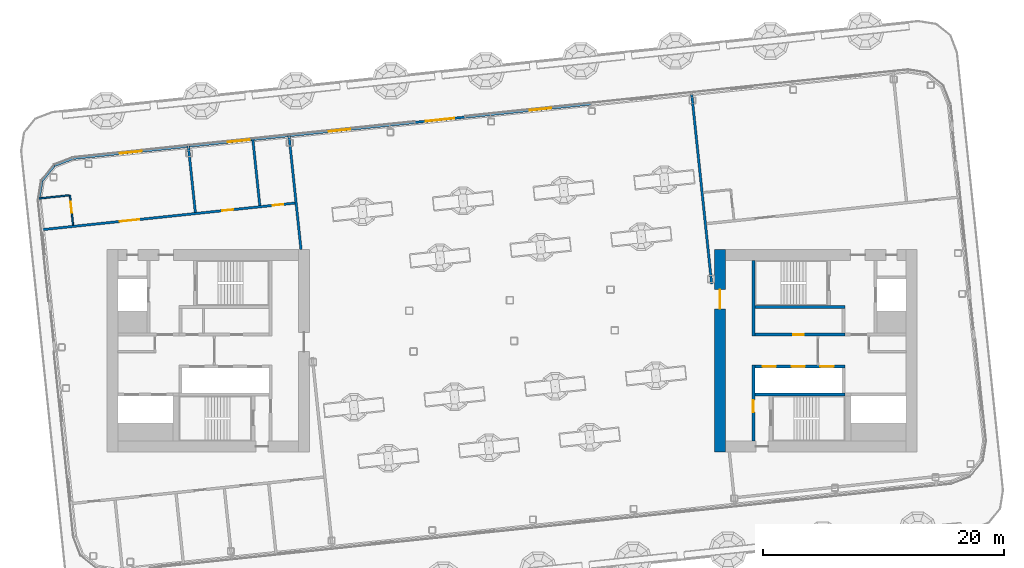
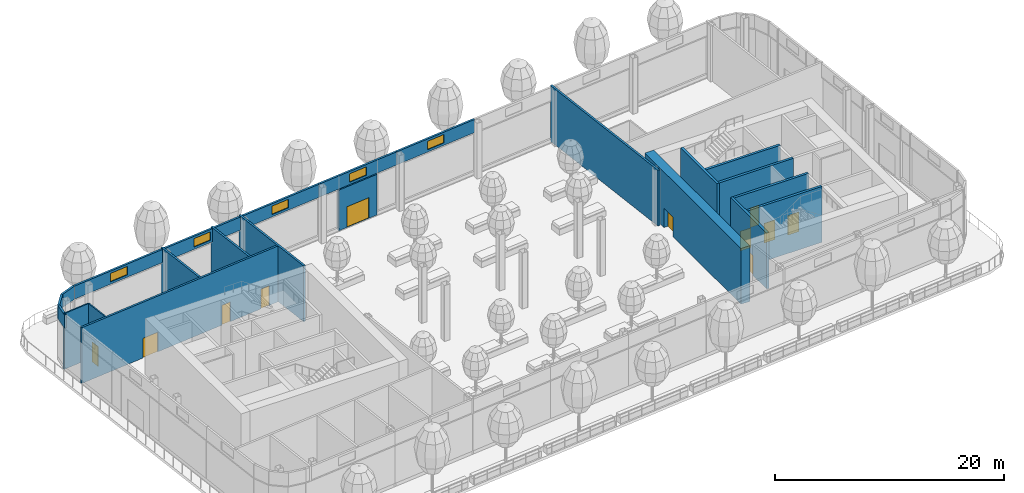
# One storey, part 13 of 42: 23 walls, 11 doors, 5 windows, 16 openings, 2 elements without a shape of their own.
"""IFC4 building model written with IfcOpenShell, lengths in metres."""

from ifc_helpers import new_model, si_unit, direction, frame, frame_2d, origin, place, context, subcontext, project, spatial, rectangle, extrude, material, layer, layer_set, type_object, element, fill, aggregate, save


model = new_model("IFC4")

# Units and contexts
model_context = context("Model", 3, precision=1e-05, world=origin(), true_north=direction((0.0, 1.0)))
body_context = subcontext(model_context, "Body", "Model", "MODEL_VIEW")
ifc_project = project(units=[si_unit("LENGTHUNIT", "METRE"), si_unit("AREAUNIT", "SQUARE_METRE"), si_unit("VOLUMEUNIT", "CUBIC_METRE"), si_unit("PLANEANGLEUNIT", "RADIAN"), si_unit("MASSUNIT", "GRAM", prefix="KILO")], contexts=[model_context])

# Site, building, storey
site_placement = place(None, origin())
site = spatial("IfcSite", under=ifc_project, at=site_placement, CompositionType="ELEMENT")
building_placement = place(site_placement, origin())
building = spatial("IfcBuilding", under=site, at=building_placement, Name="Hakoniwa Tower and Hamabe Station Hall", CompositionType="ELEMENT")
storey_placement = place(building_placement, frame((0.0, 0.0, 232.60009765625)))
storey = spatial("IfcBuildingStorey", under=building, at=storey_placement, Name="L66", CompositionType="ELEMENT", Elevation=232.60009765625)

# Wall, opening, door
ifc_material_1 = material(Name="Concrete C60", Category="concrete")
ifc_layer_1 = layer(ifc_material_1, 0.89990234375)
ifc_layer_set_1 = layer_set([ifc_layer_1], Name="CORE WALL 900 C60")
wall_type_1 = type_object("IfcWallType", Name="CORE WALL 900 C60", PredefinedType="SHEAR", material=ifc_layer_set_1)
wall_1_placement = place(storey_placement, frame((17.25, -8.39990234375, 0.0), z_axis=(0.0, 0.0, 1.0), x_axis=(0.0, 1.0, 0.0)))
wall_1 = element("IfcWall", 1, at=wall_1_placement, inside=storey, type_object=wall_type_1, Name="Core wall INNER east", PredefinedType="SHEAR", context=body_context, shape_type="SweptSolid", body=[
    extrude(rectangle(XDim=16.7998046875, YDim=0.89990234375, at=frame_2d((8.39990234375, 0.0))), origin(), (0.0, 0.0, 1.0), 5.949951171875),
])
opening_1_placement = place(wall_1_placement, frame((11.87890625, 0.0, 0.0)))
opening_1 = element("IfcOpeningElement", 2, at=opening_1_placement, cuts=wall_1, Name="Opening CD-E-IN1-16", PredefinedType="OPENING", context=body_context, shape_type="SweptSolid", body=[
    extrude(rectangle(XDim=1.60009765625, YDim=2.10009765625, at=frame_2d((0.800048828125, 1.050048828125))), frame((0.0, 0.4599609375, 0.0), z_axis=(0.0, -1.0, 0.0), x_axis=(1.0, 0.0, 0.0)), (0.0, 0.0, 1.0), 0.919921875),
])
ifc_material_2 = material(Name="Steel fire door", Category="steel")
door_type_1 = type_object("IfcDoorType", Name="CORE DOOR 1600 FD60", OperationType="DOUBLE_DOOR_SINGLE_SWING", PredefinedType="DOOR", material=ifc_material_2)
door_1_placement = place(opening_1_placement, origin())
door_1 = element("IfcDoor", 3, at=door_1_placement, inside=storey, type_object=door_type_1, Name="Lift lobby door", OperationType="DOUBLE_DOOR_SINGLE_SWING", OverallHeight=2.10009765625, OverallWidth=1.60009765625, PredefinedType="DOOR", context=body_context, shape_type="SweptSolid", body=[
    extrude(rectangle(XDim=1.60009765625, YDim=2.10009765625, at=frame_2d((0.800048828125, 1.050048828125))), frame((0.0, 0.02490234375, 0.0), z_axis=(0.0, -1.0, 0.0), x_axis=(1.0, 0.0, 0.0)), (0.0, 0.0, 1.0), 0.050048828125),
])
fill(opening_1, door_1)

# Wall
ifc_material_3 = material(Name="Concrete C60", Category="concrete")
ifc_layer_2 = layer(ifc_material_3, 0.25)
ifc_layer_set_2 = layer_set([ifc_layer_2], Name="CORE WEB WALL 250 C60")
wall_type_2 = type_object("IfcWallType", Name="CORE WEB WALL 250 C60", PredefinedType="SHEAR", material=ifc_layer_set_2)
wall_2_placement = place(storey_placement, frame((20.02490234375, 1.199951171875, 0.0), z_axis=(0.0, 0.0, 1.0), x_axis=(0.0, 1.0, 0.0)))
element("IfcWall", 4, at=wall_2_placement, inside=storey, type_object=wall_type_2, Name="Core wall W1N east", PredefinedType="SHEAR", context=body_context, shape_type="SweptSolid", body=[
    extrude(rectangle(XDim=6.300048828125, YDim=0.25, at=frame_2d((3.14990234375, 0.0))), origin(), (0.0, 0.0, 1.0), 5.949951171875),
])

# Wall, opening, door
wall_3_placement = place(storey_placement, frame((20.02490234375, -7.5, 0.0), z_axis=(0.0, 0.0, 1.0), x_axis=(0.0, 1.0, 0.0)))
wall_3 = element("IfcWall", 5, at=wall_3_placement, inside=storey, type_object=wall_type_2, Name="Core wall W1S east", PredefinedType="SHEAR", context=body_context, shape_type="SweptSolid", body=[
    extrude(rectangle(XDim=6.300048828125, YDim=0.25, at=frame_2d((3.14990234375, 0.0))), origin(), (0.0, 0.0, 1.0), 5.949951171875),
])
opening_2_placement = place(wall_3_placement, frame((2.39990234375, 0.0, 0.0)))
opening_2 = element("IfcOpeningElement", 6, at=opening_2_placement, cuts=wall_3, Name="Opening CD-E-VS-10", PredefinedType="OPENING", context=body_context, shape_type="SweptSolid", body=[
    extrude(rectangle(XDim=1.0, YDim=2.10009765625, at=frame_2d((0.5, 1.050048828125))), frame((0.0, 0.135009765625, 0.0), z_axis=(0.0, -1.0, 0.0), x_axis=(1.0, 0.0, 0.0)), (0.0, 0.0, 1.0), 0.27001953125),
])
ifc_material_4 = material(Name="Steel fire door", Category="steel")
door_type_2 = type_object("IfcDoorType", Name="CORE DOOR 1000 FD60", OperationType="NOTDEFINED", PredefinedType="DOOR", material=ifc_material_4)
door_2_placement = place(opening_2_placement, origin())
door_2 = element("IfcDoor", 7, at=door_2_placement, inside=storey, type_object=door_type_2, Name="Stair vestibule door", OperationType="SINGLE_SWING_RIGHT", OverallHeight=2.10009765625, OverallWidth=1.0, PredefinedType="DOOR", context=body_context, shape_type="SweptSolid", body=[
    extrude(rectangle(XDim=1.0, YDim=2.10009765625, at=frame_2d((0.5, 1.050048828125))), frame((0.0, 0.02490234375, 0.0), z_axis=(0.0, -1.0, 0.0), x_axis=(1.0, 0.0, 0.0)), (0.0, 0.0, 1.0), 0.050048828125),
])
fill(opening_2, door_2)

wall_4_placement = place(storey_placement, frame((20.14990234375, 1.324951171875, 0.0), z_axis=(0.0, 0.0, 1.0), x_axis=(1.0, 0.0, 0.0)))
wall_4 = element("IfcWall", 8, at=wall_4_placement, inside=storey, type_object=wall_type_2, Name="Core wall NF east", PredefinedType="SHEAR", context=body_context, shape_type="SweptSolid", body=[
    extrude(rectangle(XDim=7.5, YDim=0.25, at=frame_2d((3.75, 0.0))), origin(), (0.0, 0.0, 1.0), 5.949951171875),
])
opening_3_placement = place(wall_4_placement, frame((3.175048828125, 0.0, 0.0)))
opening_3 = element("IfcOpeningElement", 9, at=opening_3_placement, cuts=wall_4, Name="Opening CD-E-FRLR0-9", PredefinedType="OPENING", context=body_context, shape_type="SweptSolid", body=[
    extrude(rectangle(XDim=0.89990234375, YDim=2.10009765625, at=frame_2d((0.449951171875, 1.050048828125))), frame((0.0, 0.135009765625, 0.0), z_axis=(0.0, -1.0, 0.0), x_axis=(1.0, 0.0, 0.0)), (0.0, 0.0, 1.0), 0.27001953125),
])
ifc_material_5 = material(Name="Steel fire door", Category="steel")
door_type_3 = type_object("IfcDoorType", Name="CORE DOOR 900 FD30", OperationType="NOTDEFINED", PredefinedType="DOOR", material=ifc_material_5)
door_3_placement = place(opening_3_placement, origin())
door_3 = element("IfcDoor", 10, at=door_3_placement, inside=storey, type_object=door_type_3, Name="Store room door", OperationType="SINGLE_SWING_LEFT", OverallHeight=2.10009765625, OverallWidth=0.89990234375, PredefinedType="DOOR", context=body_context, shape_type="SweptSolid", body=[
    extrude(rectangle(XDim=0.89990234375, YDim=2.10009765625, at=frame_2d((0.449951171875, 1.050048828125))), frame((0.0, 0.02490234375, 0.0), z_axis=(0.0, -1.0, 0.0), x_axis=(1.0, 0.0, 0.0)), (0.0, 0.0, 1.0), 0.050048828125),
])
fill(opening_3, door_3)

# Wall
wall_5_placement = place(storey_placement, frame((20.14990234375, 3.625, 0.0), z_axis=(0.0, 0.0, 1.0), x_axis=(1.0, 0.0, 0.0)))
element("IfcWall", 11, at=wall_5_placement, inside=storey, type_object=wall_type_2, Name="Core wall NR east", PredefinedType="SHEAR", context=body_context, shape_type="SweptSolid", body=[
    extrude(rectangle(XDim=7.5, YDim=0.25, at=frame_2d((3.75, 0.0))), origin(), (0.0, 0.0, 1.0), 5.949951171875),
])

# Wall, openings, doors
wall_6_placement = place(storey_placement, frame((20.14990234375, -1.324951171875, 0.0), z_axis=(0.0, 0.0, 1.0), x_axis=(1.0, 0.0, 0.0)))
wall_6 = element("IfcWall", 12, at=wall_6_placement, inside=storey, type_object=wall_type_2, Name="Core wall SF east", PredefinedType="SHEAR", context=body_context, shape_type="SweptSolid", body=[
    extrude(rectangle(XDim=7.5, YDim=0.25, at=frame_2d((3.75, 0.0))), origin(), (0.0, 0.0, 1.0), 5.949951171875),
])
opening_4_placement = place(wall_6_placement, frame((0.64990234375, 0.0, 0.0)))
opening_4 = element("IfcOpeningElement", 13, at=opening_4_placement, cuts=wall_6, Name="Opening LD-HR4", PredefinedType="OPENING", context=body_context, shape_type="SweptSolid", body=[
    extrude(rectangle(XDim=1.10009765625, YDim=2.10009765625, at=frame_2d((0.550048828125, 1.050048828125))), frame((0.0, 0.135009765625, 0.0), z_axis=(0.0, -1.0, 0.0), x_axis=(1.0, 0.0, 0.0)), (0.0, 0.0, 1.0), 0.27001953125),
])
opening_5_placement = place(wall_6_placement, frame((3.050048828125, 0.0, 0.0)))
opening_5 = element("IfcOpeningElement", 14, at=opening_5_placement, cuts=wall_6, Name="Opening LD-HR5", PredefinedType="OPENING", context=body_context, shape_type="SweptSolid", body=[
    extrude(rectangle(XDim=1.10009765625, YDim=2.10009765625, at=frame_2d((0.550048828125, 1.050048828125))), frame((0.0, 0.135009765625, 0.0), z_axis=(0.0, -1.0, 0.0), x_axis=(1.0, 0.0, 0.0)), (0.0, 0.0, 1.0), 0.27001953125),
])
opening_6_placement = place(wall_6_placement, frame((5.449951171875, 0.0, 0.0)))
opening_6 = element("IfcOpeningElement", 15, at=opening_6_placement, cuts=wall_6, Name="Opening LD-HR6", PredefinedType="OPENING", context=body_context, shape_type="SweptSolid", body=[
    extrude(rectangle(XDim=1.10009765625, YDim=2.10009765625, at=frame_2d((0.550048828125, 1.050048828125))), frame((0.0, 0.135009765625, 0.0), z_axis=(0.0, -1.0, 0.0), x_axis=(1.0, 0.0, 0.0)), (0.0, 0.0, 1.0), 0.27001953125),
])
ifc_material_6 = material(Name="Stainless steel SUS304", Category="steel")
door_type_4 = type_object("IfcDoorType", Name="LIFT LANDING DOOR 1100 FD60", OperationType="DOUBLE_DOOR_SLIDING", PredefinedType="DOOR", material=ifc_material_6)
door_4_placement = place(opening_4_placement, origin())
door_4 = element("IfcDoor", 16, at=door_4_placement, inside=storey, type_object=door_type_4, Name="Lift landing door HR4 L66", OperationType="DOUBLE_DOOR_SLIDING", OverallHeight=2.10009765625, OverallWidth=1.10009765625, PredefinedType="DOOR", context=body_context, shape_type="SweptSolid", body=[
    extrude(rectangle(XDim=1.10009765625, YDim=2.10009765625, at=frame_2d((0.550048828125, 1.050048828125))), frame((0.0, 0.02490234375, 0.0), z_axis=(0.0, -1.0, 0.0), x_axis=(1.0, 0.0, 0.0)), (0.0, 0.0, 1.0), 0.050048828125),
])
fill(opening_4, door_4)
door_5_placement = place(opening_5_placement, origin())
door_5 = element("IfcDoor", 17, at=door_5_placement, inside=storey, type_object=door_type_4, Name="Lift landing door HR5 L66", OperationType="DOUBLE_DOOR_SLIDING", OverallHeight=2.10009765625, OverallWidth=1.10009765625, PredefinedType="DOOR", context=body_context, shape_type="SweptSolid", body=[
    extrude(rectangle(XDim=1.10009765625, YDim=2.10009765625, at=frame_2d((0.550048828125, 1.050048828125))), frame((0.0, 0.02490234375, 0.0), z_axis=(0.0, -1.0, 0.0), x_axis=(1.0, 0.0, 0.0)), (0.0, 0.0, 1.0), 0.050048828125),
])
fill(opening_5, door_5)
door_6_placement = place(opening_6_placement, origin())
door_6 = element("IfcDoor", 18, at=door_6_placement, inside=storey, type_object=door_type_4, Name="Lift landing door HR6 L66", OperationType="DOUBLE_DOOR_SLIDING", OverallHeight=2.10009765625, OverallWidth=1.10009765625, PredefinedType="DOOR", context=body_context, shape_type="SweptSolid", body=[
    extrude(rectangle(XDim=1.10009765625, YDim=2.10009765625, at=frame_2d((0.550048828125, 1.050048828125))), frame((0.0, 0.02490234375, 0.0), z_axis=(0.0, -1.0, 0.0), x_axis=(1.0, 0.0, 0.0)), (0.0, 0.0, 1.0), 0.050048828125),
])
fill(opening_6, door_6)

# Wall
wall_7_placement = place(storey_placement, frame((20.14990234375, -3.625, 0.0), z_axis=(0.0, 0.0, 1.0), x_axis=(1.0, 0.0, 0.0)))
element("IfcWall", 19, at=wall_7_placement, inside=storey, type_object=wall_type_2, Name="Core wall SR east", PredefinedType="SHEAR", context=body_context, shape_type="SweptSolid", body=[
    extrude(rectangle(XDim=7.5, YDim=0.25, at=frame_2d((3.75, 0.0))), origin(), (0.0, 0.0, 1.0), 5.949951171875),
])

# Wall, openings, doors
ifc_material_7 = material(Name="Fire-rated gypsum board partition", Category="gypsum")
ifc_layer_3 = layer(ifc_material_7, 0.199951171875)
ifc_layer_set_3 = layer_set([ifc_layer_3], Name="Corridor Wall 200")
wall_type_3 = type_object("IfcWallType", Name="Corridor Wall 200", PredefinedType="PARTITIONING", material=ifc_layer_set_3)
wall_8_placement = place(storey_placement, frame((-39.101806640625, 10.033935546875, 0.0), z_axis=(0.0, 0.0, 1.0), x_axis=(0.994522585465, 0.104521897229, 0.0)))
wall_8 = element("IfcWall", 20, at=wall_8_placement, inside=storey, type_object=wall_type_3, Name="GW-L66-005", PredefinedType="PARTITIONING", context=body_context, shape_type="SweptSolid", body=[
    extrude(rectangle(XDim=21.300048828125, YDim=0.199951171875, at=frame_2d((10.64990234375, 0.0))), origin(), (0.0, 0.0, 1.0), 5.949951171875),
])
opening_7_placement = place(wall_8_placement, frame((6.60009765625, 0.0, 0.0)))
opening_7 = element("IfcOpeningElement", 21, at=opening_7_placement, cuts=wall_8, Name="Opening GD-SL66-08", PredefinedType="OPENING", context=body_context, shape_type="SweptSolid", body=[
    extrude(rectangle(XDim=1.60009765625, YDim=2.10009765625, at=frame_2d((0.800048828125, 1.050048828125))), frame((0.0, 0.10986328125, 0.0), z_axis=(0.0, -1.0, 0.0), x_axis=(1.0, 0.0, 0.0)), (0.0, 0.0, 1.0), 0.219970703125),
])
opening_8_placement = place(wall_8_placement, frame((15.139892578125, 0.0, 0.0)))
opening_8 = element("IfcOpeningElement", 22, at=opening_8_placement, cuts=wall_8, Name="Opening GD-SL66-09", PredefinedType="OPENING", context=body_context, shape_type="SweptSolid", body=[
    extrude(rectangle(XDim=0.89990234375, YDim=2.10009765625, at=frame_2d((0.449951171875, 1.050048828125))), frame((0.0, 0.10986328125, 0.0), z_axis=(0.0, -1.0, 0.0), x_axis=(1.0, 0.0, 0.0)), (0.0, 0.0, 1.0), 0.219970703125),
])
opening_9_placement = place(wall_8_placement, frame((19.340087890625, 0.0, 0.0)))
opening_9 = element("IfcOpeningElement", 23, at=opening_9_placement, cuts=wall_8, Name="Opening GD-SL66-10", PredefinedType="OPENING", context=body_context, shape_type="SweptSolid", body=[
    extrude(rectangle(XDim=0.89990234375, YDim=2.10009765625, at=frame_2d((0.449951171875, 1.050048828125))), frame((0.0, 0.10986328125, 0.0), z_axis=(0.0, -1.0, 0.0), x_axis=(1.0, 0.0, 0.0)), (0.0, 0.0, 1.0), 0.219970703125),
])
ifc_material_8 = material(Name="Timber door leaf", Category="wood")
door_type_5 = type_object("IfcDoorType", Name="Double Door 1600", OperationType="DOUBLE_DOOR_SINGLE_SWING", PredefinedType="DOOR", material=ifc_material_8)
door_7_placement = place(opening_7_placement, origin())
door_7 = element("IfcDoor", 24, at=door_7_placement, inside=storey, type_object=door_type_5, Name="Door GD-SL66-08", OperationType="DOUBLE_DOOR_SINGLE_SWING", OverallHeight=2.10009765625, OverallWidth=1.60009765625, PredefinedType="DOOR", context=body_context, shape_type="SweptSolid", body=[
    extrude(rectangle(XDim=1.60009765625, YDim=2.10009765625, at=frame_2d((0.800048828125, 1.050048828125))), frame((0.0, 0.02490234375, 0.0), z_axis=(0.0, -1.0, 0.0), x_axis=(1.0, 0.0, 0.0)), (0.0, 0.0, 1.0), 0.050048828125),
])
fill(opening_7, door_7)
ifc_material_9 = material(Name="Timber door leaf", Category="wood")
door_type_6 = type_object("IfcDoorType", Name="Service Door 900", OperationType="SINGLE_SWING_LEFT", PredefinedType="DOOR", material=ifc_material_9)
door_8_placement = place(opening_8_placement, origin())
door_8 = element("IfcDoor", 25, at=door_8_placement, inside=storey, type_object=door_type_6, Name="Door GD-SL66-09", OperationType="SINGLE_SWING_RIGHT", OverallHeight=2.10009765625, OverallWidth=0.89990234375, PredefinedType="DOOR", context=body_context, shape_type="SweptSolid", body=[
    extrude(rectangle(XDim=0.89990234375, YDim=2.10009765625, at=frame_2d((0.449951171875, 1.050048828125))), frame((0.0, 0.02490234375, 0.0), z_axis=(0.0, -1.0, 0.0), x_axis=(1.0, 0.0, 0.0)), (0.0, 0.0, 1.0), 0.050048828125),
])
fill(opening_8, door_8)
door_9_placement = place(opening_9_placement, origin())
door_9 = element("IfcDoor", 26, at=door_9_placement, inside=storey, type_object=door_type_6, Name="Door GD-SL66-10", OperationType="SINGLE_SWING_RIGHT", OverallHeight=2.10009765625, OverallWidth=0.89990234375, PredefinedType="DOOR", context=body_context, shape_type="SweptSolid", body=[
    extrude(rectangle(XDim=0.89990234375, YDim=2.10009765625, at=frame_2d((0.449951171875, 1.050048828125))), frame((0.0, 0.02490234375, 0.0), z_axis=(0.0, -1.0, 0.0), x_axis=(1.0, 0.0, 0.0)), (0.0, 0.0, 1.0), 0.050048828125),
])
fill(opening_9, door_9)

# Curtain wall, wall, opening, door
ifc_material_10 = material(Name="Dark low-e laminated glass", Category="glass")
ifc_layer_4 = layer(ifc_material_10, 0.199951171875)
ifc_layer_set_4 = layer_set([ifc_layer_4], Name="CW-2 SKY GARDEN")
curtain_wall_type = type_object("IfcCurtainWallType", Name="CW-2 SKY GARDEN", PredefinedType="NOTDEFINED", material=ifc_layer_set_4)
curtain_wall_1_placement = place(storey_placement, origin())
curtain_wall_1 = element("IfcCurtainWall", 27, at=curtain_wall_1_placement, inside=storey, type_object=curtain_wall_type, Name="CW-2 curtain wall", PredefinedType="NOTDEFINED")
ifc_material_11 = material(Name="Dark glass-faced aluminium panel", Category="aluminium")
ifc_layer_5 = layer(ifc_material_11, 0.199951171875)
ifc_layer_set_5 = layer_set([ifc_layer_5], Name="DOOR BAY WALL")
wall_type_4 = type_object("IfcWallType", Name="DOOR BAY WALL", PredefinedType="NOTDEFINED", material=ifc_layer_set_5)
wall_9_placement = place(storey_placement, frame((-3.916259765625, 19.383056640625, 0.0), z_axis=(0.0, 0.0, 1.0), x_axis=(-0.994524824329, -0.10450059231, 0.0)))
wall_9 = element("IfcWall", 28, at=wall_9_placement, type_object=wall_type_4, Name="Door bay wall", PredefinedType="NOTDEFINED", context=body_context, shape_type="SweptSolid", body=[
    extrude(rectangle(XDim=4.139892578125, YDim=0.199951171875, at=frame_2d((2.06982421875, 0.0))), origin(), (0.0, 0.0, 1.0), 4.329833984375),
])
opening_10_placement = place(wall_9_placement, frame((0.8701171875, 0.0, 0.0)))
opening_10 = element("IfcOpeningElement", 29, at=opening_10_placement, cuts=wall_9, Name="Opening TD-N03-T1", PredefinedType="OPENING", context=body_context, shape_type="SweptSolid", body=[
    extrude(rectangle(XDim=2.39990234375, YDim=2.199951171875, at=frame_2d((1.199951171875, 1.10009765625))), frame((0.0, 0.10986328125, 0.0), z_axis=(0.0, -1.0, 0.0), x_axis=(1.0, 0.0, 0.0)), (0.0, 0.0, 1.0), 0.219970703125),
])
ifc_material_12 = material(Name="Dark low-e laminated glass", Category="glass")
door_type_7 = type_object("IfcDoorType", Name="BALCONY SLIDING DOOR 2400X2200", OperationType="SLIDING_TO_LEFT", PredefinedType="DOOR", material=ifc_material_12)
door_10_placement = place(opening_10_placement, frame((2.39990234375, 0.0, 0.0), z_axis=(0.0, 0.0, 1.0), x_axis=(-1.0, 0.0, 0.0)))
door_10 = element("IfcDoor", 30, at=door_10_placement, inside=storey, type_object=door_type_7, Name="Balcony sliding door", OperationType="SLIDING_TO_LEFT", OverallHeight=2.199951171875, OverallWidth=2.39990234375, PredefinedType="DOOR", context=body_context, shape_type="SweptSolid", body=[
    extrude(rectangle(XDim=2.39990234375, YDim=2.199951171875, at=frame_2d((1.199951171875, 1.10009765625))), frame((0.0, 0.02490234375, 0.0), z_axis=(0.0, -1.0, 0.0), x_axis=(1.0, 0.0, 0.0)), (0.0, 0.0, 1.0), 0.050048828125),
])
fill(opening_10, door_10)

# Walls
ifc_material_13 = material(Name="Fire-rated gypsum board partition", Category="gypsum")
ifc_layer_6 = layer(ifc_material_13, 0.199951171875)
ifc_layer_set_6 = layer_set([ifc_layer_6], Name="Party Wall 200")
wall_type_5 = type_object("IfcWallType", Name="Party Wall 200", PredefinedType="PARTITIONING", material=ifc_layer_set_6)
wall_10_placement = place(storey_placement, frame((-26.28271484375, 11.481689453125, 0.0), z_axis=(0.0, 0.0, 1.0), x_axis=(-0.104560413987, 0.994518536693, 0.0)))
element("IfcWall", 31, at=wall_10_placement, inside=storey, type_object=wall_type_5, Name="GW-L66-011", PredefinedType="PARTITIONING", context=body_context, shape_type="SweptSolid", body=[
    extrude(rectangle(XDim=5.6201171875, YDim=0.199951171875, at=frame_2d((2.81005859375, 0.0))), origin(), (0.0, 0.0, 1.0), 5.949951171875),
])
wall_11_placement = place(storey_placement, frame((-20.932373046875, 12.0439453125, 0.0), z_axis=(0.0, 0.0, 1.0), x_axis=(-0.104512933269, 0.994523527514, 0.0)))
element("IfcWall", 32, at=wall_11_placement, inside=storey, type_object=wall_type_5, Name="GW-L66-013", PredefinedType="PARTITIONING", context=body_context, shape_type="SweptSolid", body=[
    extrude(rectangle(XDim=5.620361328125, YDim=0.199951171875, at=frame_2d((2.81005859375, 0.0))), origin(), (0.0, 0.0, 1.0), 5.949951171875),
])
wall_12_placement = place(storey_placement, frame((-17.51220703125, 8.39501953125, 0.0), z_axis=(0.0, 0.0, 1.0), x_axis=(-0.104524714473, 0.994522289375, 0.0)))
element("IfcWall", 33, at=wall_12_placement, inside=storey, type_object=wall_type_5, Name="GW-L66-015", PredefinedType="PARTITIONING", context=body_context, shape_type="SweptSolid", body=[
    extrude(rectangle(XDim=9.60693359375, YDim=0.199951171875, at=frame_2d((4.803466796875, 0.0))), origin(), (0.0, 0.0, 1.0), 5.949951171875),
])
wall_13_placement = place(storey_placement, frame((16.572021484375, 5.549072265625, 0.0), z_axis=(0.0, 0.0, 1.0), x_axis=(-0.104522747265, 0.994522496128, 0.0)))
element("IfcWall", 34, at=wall_13_placement, inside=storey, type_object=wall_type_5, Name="GW-L66-017", PredefinedType="PARTITIONING", context=body_context, shape_type="SweptSolid", body=[
    extrude(rectangle(XDim=16.0, YDim=0.199951171875, at=frame_2d((8.0, 0.0))), origin(), (0.0, 0.0, 1.0), 5.949951171875),
])
ifc_material_14 = material(Name="Gypsum board partition", Category="gypsum")
ifc_layer_7 = layer(ifc_material_14, 0.125)
ifc_layer_set_7 = layer_set([ifc_layer_7], Name="Room Partition 125")
wall_type_6 = type_object("IfcWallType", Name="Room Partition 125", PredefinedType="PARTITIONING", material=ifc_layer_set_7)
wall_14_placement = place(storey_placement, frame((-39.336181640625, 12.62353515625, 0.0), z_axis=(0.0, 0.0, 1.0), x_axis=(0.994523446942, 0.104513699976, 0.0)))
element("IfcWall", 35, at=wall_14_placement, inside=storey, type_object=wall_type_6, Name="GW-L66-006", PredefinedType="PARTITIONING", context=body_context, shape_type="SweptSolid", body=[
    extrude(rectangle(XDim=2.599853515625, YDim=0.125, at=frame_2d((1.2998046875, 0.0))), origin(), (0.0, 0.0, 1.0), 5.949951171875),
])

# Wall, opening, door
wall_15_placement = place(storey_placement, frame((-36.427001953125, 10.41552734375, 0.0), z_axis=(0.0, 0.0, 1.0), x_axis=(-0.104491611519, 0.994525767953, 0.0)))
wall_15 = element("IfcWall", 36, at=wall_15_placement, inside=storey, type_object=wall_type_6, Name="GW-L66-007", PredefinedType="PARTITIONING", context=body_context, shape_type="SweptSolid", body=[
    extrude(rectangle(XDim=2.5, YDim=0.125, at=frame_2d((1.25, 0.0))), origin(), (0.0, 0.0, 1.0), 5.949951171875),
])
opening_11_placement = place(wall_15_placement, frame((1.050048828125, 0.0, 0.0)))
opening_11 = element("IfcOpeningElement", 37, at=opening_11_placement, cuts=wall_15, Name="Opening GD-SL66-11", PredefinedType="OPENING", context=body_context, shape_type="SweptSolid", body=[
    extrude(rectangle(XDim=0.89990234375, YDim=2.10009765625, at=frame_2d((0.449951171875, 1.050048828125))), frame((0.0, 0.072509765625, 0.0), z_axis=(0.0, -1.0, 0.0), x_axis=(1.0, 0.0, 0.0)), (0.0, 0.0, 1.0), 0.14501953125),
])
ifc_material_15 = material(Name="Timber door leaf", Category="wood")
door_type_8 = type_object("IfcDoorType", Name="Suite Interior Door 900", OperationType="SINGLE_SWING_LEFT", PredefinedType="DOOR", material=ifc_material_15)
door_11_placement = place(opening_11_placement, origin())
door_11 = element("IfcDoor", 38, at=door_11_placement, inside=storey, type_object=door_type_8, Name="Door GD-SL66-11", OperationType="SINGLE_SWING_LEFT", OverallHeight=2.10009765625, OverallWidth=0.89990234375, PredefinedType="DOOR", context=body_context, shape_type="SweptSolid", body=[
    extrude(rectangle(XDim=0.89990234375, YDim=2.10009765625, at=frame_2d((0.449951171875, 1.050048828125))), frame((0.0, 0.02490234375, 0.0), z_axis=(0.0, -1.0, 0.0), x_axis=(1.0, 0.0, 0.0)), (0.0, 0.0, 1.0), 0.050048828125),
])
fill(opening_11, door_11)

# Wall, opening, window
ifc_material_16 = material(Name="Dark glass-faced aluminium panel", Category="aluminium")
ifc_layer_8 = layer(ifc_material_16, 0.199951171875)
ifc_layer_set_8 = layer_set([ifc_layer_8], Name="VENT BAND WALL")
wall_type_7 = type_object("IfcWallType", Name="VENT BAND WALL", PredefinedType="NOTDEFINED", material=ifc_layer_set_8)
wall_16_placement = place(storey_placement, frame((6.55615234375, 20.48388671875, 4.449951171875), z_axis=(0.0, 0.0, 1.0), x_axis=(-0.994520253788, -0.104544080685, 0.0)))
wall_16 = element("IfcWall", 39, at=wall_16_placement, type_object=wall_type_7, Name="Vent band wall", PredefinedType="NOTDEFINED", context=body_context, shape_type="SweptSolid", body=[
    extrude(rectangle(XDim=8.400146484375, YDim=0.199951171875, at=frame_2d((4.2001953125, 0.0))), origin(), (0.0, 0.0, 1.0), 1.39990234375),
])
opening_12_placement = place(wall_16_placement, frame((3.300048828125, 0.0, 0.25)))
opening_12 = element("IfcOpeningElement", 40, at=opening_12_placement, cuts=wall_16, Name="Opening VW-1", PredefinedType="OPENING", context=body_context, shape_type="SweptSolid", body=[
    extrude(rectangle(XDim=1.800048828125, YDim=0.89990234375, at=frame_2d((0.89990234375, 0.449951171875))), frame((0.0, 0.10986328125, 0.0), z_axis=(0.0, -1.0, 0.0), x_axis=(1.0, 0.0, 0.0)), (0.0, 0.0, 1.0), 0.219970703125),
])
ifc_material_17 = material(Name="Dark low-e laminated glass", Category="glass")
window_type = type_object("IfcWindowType", Name="VENT WINDOW 1800X900", PartitioningType="SINGLE_PANEL", PredefinedType="WINDOW", material=ifc_material_17)
window_1_placement = place(opening_12_placement, origin())
window_1 = element("IfcWindow", 41, at=window_1_placement, inside=storey, type_object=window_type, Name="Vent window", OverallHeight=0.89990234375, OverallWidth=1.800048828125, PartitioningType="SINGLE_PANEL", PredefinedType="WINDOW", context=body_context, shape_type="SweptSolid", body=[
    extrude(rectangle(XDim=1.800048828125, YDim=0.89990234375, at=frame_2d((0.89990234375, 0.449951171875))), frame((0.0, 0.030029296875, 0.0), z_axis=(0.0, -1.0, 0.0), x_axis=(1.0, 0.0, 0.0)), (0.0, 0.0, 1.0), 0.06005859375),
])
fill(opening_12, window_1)

wall_17_placement = place(storey_placement, frame((-1.7978515625, 19.605712890625, 4.449951171875), z_axis=(0.0, 0.0, 1.0), x_axis=(-0.994523275226, -0.104515333968, 0.0)))
wall_17 = element("IfcWall", 42, at=wall_17_placement, type_object=wall_type_7, Name="Vent band wall", PredefinedType="NOTDEFINED", context=body_context, shape_type="SweptSolid", body=[
    extrude(rectangle(XDim=8.39990234375, YDim=0.199951171875, at=frame_2d((4.199951171875, 0.0))), origin(), (0.0, 0.0, 1.0), 1.39990234375),
])
opening_13_placement = place(wall_17_placement, frame((3.300048828125, 0.0, 0.25)))
opening_13 = element("IfcOpeningElement", 43, at=opening_13_placement, cuts=wall_17, Name="Opening VW-1", PredefinedType="OPENING", context=body_context, shape_type="SweptSolid", body=[
    extrude(rectangle(XDim=1.800048828125, YDim=0.89990234375, at=frame_2d((0.89990234375, 0.449951171875))), frame((0.0, 0.10986328125, 0.0), z_axis=(0.0, -1.0, 0.0), x_axis=(1.0, 0.0, 0.0)), (0.0, 0.0, 1.0), 0.219970703125),
])
window_2_placement = place(opening_13_placement, origin())
window_2 = element("IfcWindow", 44, at=window_2_placement, inside=storey, type_object=window_type, Name="Vent window", OverallHeight=0.89990234375, OverallWidth=1.800048828125, PartitioningType="SINGLE_PANEL", PredefinedType="WINDOW", context=body_context, shape_type="SweptSolid", body=[
    extrude(rectangle(XDim=1.800048828125, YDim=0.89990234375, at=frame_2d((0.89990234375, 0.449951171875))), frame((0.0, 0.030029296875, 0.0), z_axis=(0.0, -1.0, 0.0), x_axis=(1.0, 0.0, 0.0)), (0.0, 0.0, 1.0), 0.06005859375),
])
fill(opening_13, window_2)

wall_18_placement = place(storey_placement, frame((-10.15185546875, 18.727783203125, 4.449951171875), z_axis=(0.0, 0.0, 1.0), x_axis=(-0.994520253788, -0.104544080685, 0.0)))
wall_18 = element("IfcWall", 45, at=wall_18_placement, type_object=wall_type_7, Name="Vent band wall", PredefinedType="NOTDEFINED", context=body_context, shape_type="SweptSolid", body=[
    extrude(rectangle(XDim=8.400146484375, YDim=0.199951171875, at=frame_2d((4.2001953125, 0.0))), origin(), (0.0, 0.0, 1.0), 1.39990234375),
])
opening_14_placement = place(wall_18_placement, frame((3.300048828125, 0.0, 0.25)))
opening_14 = element("IfcOpeningElement", 46, at=opening_14_placement, cuts=wall_18, Name="Opening VW-1", PredefinedType="OPENING", context=body_context, shape_type="SweptSolid", body=[
    extrude(rectangle(XDim=1.800048828125, YDim=0.89990234375, at=frame_2d((0.89990234375, 0.449951171875))), frame((0.0, 0.10986328125, 0.0), z_axis=(0.0, -1.0, 0.0), x_axis=(1.0, 0.0, 0.0)), (0.0, 0.0, 1.0), 0.219970703125),
])
window_3_placement = place(opening_14_placement, origin())
window_3 = element("IfcWindow", 47, at=window_3_placement, inside=storey, type_object=window_type, Name="Vent window", OverallHeight=0.89990234375, OverallWidth=1.800048828125, PartitioningType="SINGLE_PANEL", PredefinedType="WINDOW", context=body_context, shape_type="SweptSolid", body=[
    extrude(rectangle(XDim=1.800048828125, YDim=0.89990234375, at=frame_2d((0.89990234375, 0.449951171875))), frame((0.0, 0.030029296875, 0.0), z_axis=(0.0, -1.0, 0.0), x_axis=(1.0, 0.0, 0.0)), (0.0, 0.0, 1.0), 0.06005859375),
])
fill(opening_14, window_3)

wall_19_placement = place(storey_placement, frame((-18.505859375, 17.849609375, 4.449951171875), z_axis=(0.0, 0.0, 1.0), x_axis=(-0.994523275226, -0.104515333968, 0.0)))
wall_19 = element("IfcWall", 48, at=wall_19_placement, type_object=wall_type_7, Name="Vent band wall", PredefinedType="NOTDEFINED", context=body_context, shape_type="SweptSolid", body=[
    extrude(rectangle(XDim=8.39990234375, YDim=0.199951171875, at=frame_2d((4.199951171875, 0.0))), origin(), (0.0, 0.0, 1.0), 1.39990234375),
])
opening_15_placement = place(wall_19_placement, frame((3.300048828125, 0.0, 0.25)))
opening_15 = element("IfcOpeningElement", 49, at=opening_15_placement, cuts=wall_19, Name="Opening VW-1", PredefinedType="OPENING", context=body_context, shape_type="SweptSolid", body=[
    extrude(rectangle(XDim=1.800048828125, YDim=0.89990234375, at=frame_2d((0.89990234375, 0.449951171875))), frame((0.0, 0.10986328125, 0.0), z_axis=(0.0, -1.0, 0.0), x_axis=(1.0, 0.0, 0.0)), (0.0, 0.0, 1.0), 0.219970703125),
])
window_4_placement = place(opening_15_placement, origin())
window_4 = element("IfcWindow", 50, at=window_4_placement, inside=storey, type_object=window_type, Name="Vent window", OverallHeight=0.89990234375, OverallWidth=1.800048828125, PartitioningType="SINGLE_PANEL", PredefinedType="WINDOW", context=body_context, shape_type="SweptSolid", body=[
    extrude(rectangle(XDim=1.800048828125, YDim=0.89990234375, at=frame_2d((0.89990234375, 0.449951171875))), frame((0.0, 0.030029296875, 0.0), z_axis=(0.0, -1.0, 0.0), x_axis=(1.0, 0.0, 0.0)), (0.0, 0.0, 1.0), 0.06005859375),
])
fill(opening_15, window_4)

wall_20_placement = place(storey_placement, frame((-26.85986328125, 16.9716796875, 4.449951171875), z_axis=(0.0, 0.0, 1.0), x_axis=(-0.994522701643, -0.104520791788, 0.0)))
wall_20 = element("IfcWall", 51, at=wall_20_placement, type_object=wall_type_7, Name="Vent band wall", PredefinedType="NOTDEFINED", context=body_context, shape_type="SweptSolid", body=[
    extrude(rectangle(XDim=9.609619140625, YDim=0.199951171875, at=frame_2d((4.8046875, 0.0))), origin(), (0.0, 0.0, 1.0), 1.39990234375),
])
opening_16_placement = place(wall_20_placement, frame((3.90478515625, 0.0, 0.25)))
opening_16 = element("IfcOpeningElement", 52, at=opening_16_placement, cuts=wall_20, Name="Opening VW-1", PredefinedType="OPENING", context=body_context, shape_type="SweptSolid", body=[
    extrude(rectangle(XDim=1.800048828125, YDim=0.89990234375, at=frame_2d((0.89990234375, 0.449951171875))), frame((0.0, 0.10986328125, 0.0), z_axis=(0.0, -1.0, 0.0), x_axis=(1.0, 0.0, 0.0)), (0.0, 0.0, 1.0), 0.219970703125),
])
window_5_placement = place(opening_16_placement, origin())
window_5 = element("IfcWindow", 53, at=window_5_placement, inside=storey, type_object=window_type, Name="Vent window", OverallHeight=0.89990234375, OverallWidth=1.800048828125, PartitioningType="SINGLE_PANEL", PredefinedType="WINDOW", context=body_context, shape_type="SweptSolid", body=[
    extrude(rectangle(XDim=1.800048828125, YDim=0.89990234375, at=frame_2d((0.89990234375, 0.449951171875))), frame((0.0, 0.030029296875, 0.0), z_axis=(0.0, -1.0, 0.0), x_axis=(1.0, 0.0, 0.0)), (0.0, 0.0, 1.0), 0.06005859375),
])
fill(opening_16, window_5)

aggregate(curtain_wall_1, [wall_16, wall_17, wall_18, wall_19, wall_20, wall_9])

# Curtain wall, walls
curtain_wall_2_placement = place(storey_placement, origin())
curtain_wall_2 = element("IfcCurtainWall", 54, at=curtain_wall_2_placement, inside=storey, type_object=curtain_wall_type, Name="CW-2 curtain wall", PredefinedType="NOTDEFINED")
wall_21_placement = place(storey_placement, frame((-36.44921875, 15.95947265625, 4.449951171875), z_axis=(0.0, 0.0, 1.0), x_axis=(-0.933552276155, -0.358441275085, 0.0)))
wall_21 = element("IfcWall", 55, at=wall_21_placement, type_object=wall_type_7, Name="Vent band wall", PredefinedType="NOTDEFINED", context=body_context, shape_type="SweptSolid", body=[
    extrude(rectangle(XDim=1.642822265625, YDim=0.199951171875, at=frame_2d((0.8212890625, 0.0))), origin(), (0.0, 0.0, 1.0), 1.39990234375),
])
wall_22_placement = place(storey_placement, frame((-37.98291015625, 15.37060546875, 4.449951171875), z_axis=(0.0, 0.0, 1.0), x_axis=(-0.62928839015, -0.777171874184, 0.0)))
wall_22 = element("IfcWall", 56, at=wall_22_placement, type_object=wall_type_7, Name="Vent band wall", PredefinedType="NOTDEFINED", context=body_context, shape_type="SweptSolid", body=[
    extrude(rectangle(XDim=1.713623046875, YDim=0.199951171875, at=frame_2d((0.85693359375, 0.0))), origin(), (0.0, 0.0, 1.0), 1.39990234375),
])
wall_23_placement = place(storey_placement, frame((-39.01953125, 14.0693359375, 4.449951171875), z_axis=(0.0, 0.0, 1.0), x_axis=(-0.15634414373, -0.987702641852, 0.0)))
wall_23 = element("IfcWall", 57, at=wall_23_placement, type_object=wall_type_7, Name="Vent band wall", PredefinedType="NOTDEFINED", context=body_context, shape_type="SweptSolid", body=[
    extrude(rectangle(XDim=1.642822265625, YDim=0.199951171875, at=frame_2d((0.8212890625, 0.0))), origin(), (0.0, 0.0, 1.0), 1.39990234375),
])
aggregate(curtain_wall_2, [wall_21, wall_22, wall_23])

save(model, "model.ifc")
